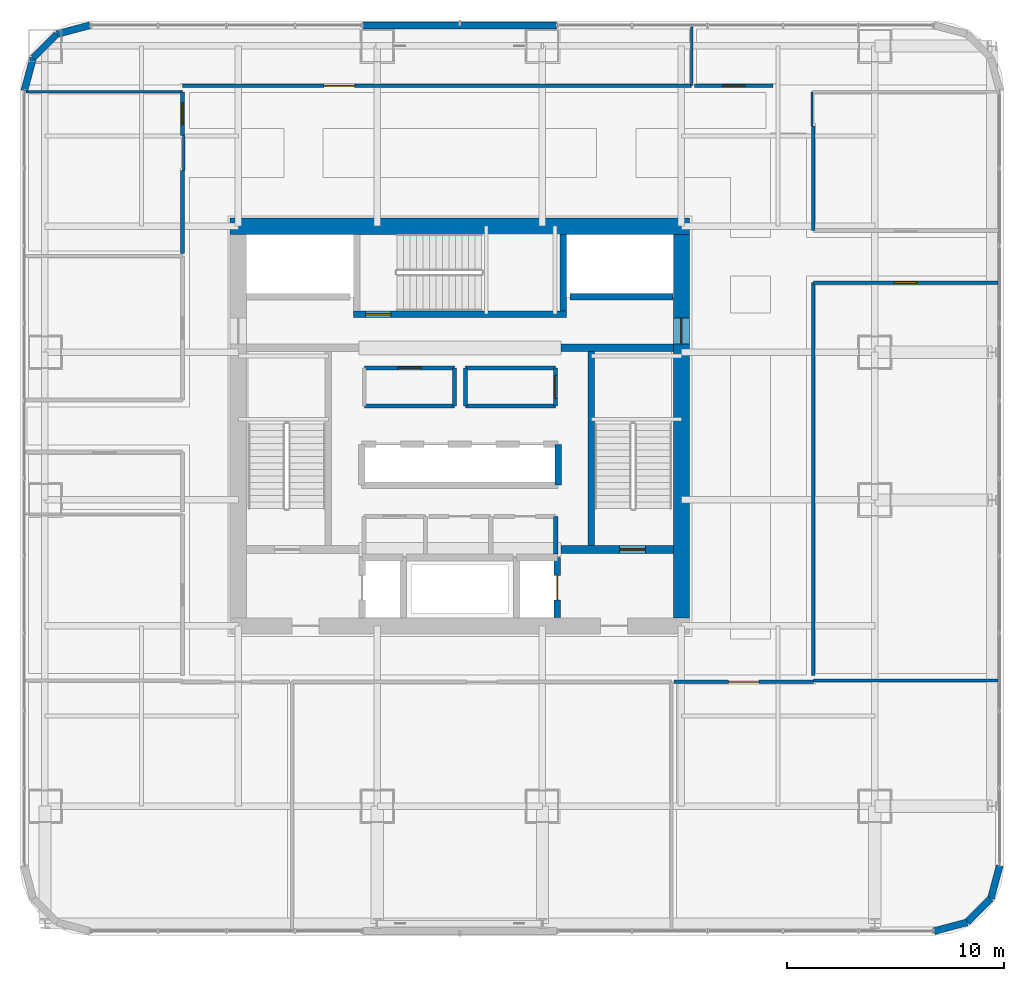
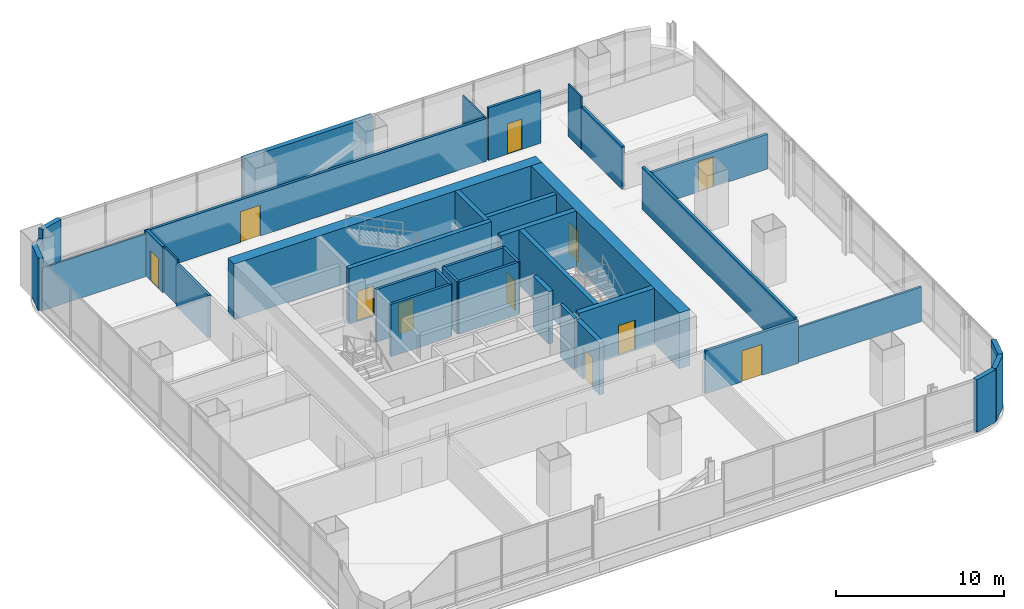
# One storey, part 29 of 40: 38 walls, 11 doors, 11 openings.
"""IFC4 building model written with IfcOpenShell, lengths in metres."""

from ifc_helpers import new_model, si_unit, direction, frame, frame_2d, origin, place, context, subcontext, project, spatial, rectangle, extrude, material, layer, layer_set, type_object, element, fill, save


model = new_model("IFC4")

# Units and contexts
model_context = context("Model", 3, precision=1e-05, world=origin(), true_north=direction((0.0, 1.0)))
body_context = subcontext(model_context, "Body", "Model", "MODEL_VIEW")
ifc_project = project(units=[si_unit("LENGTHUNIT", "METRE"), si_unit("AREAUNIT", "SQUARE_METRE"), si_unit("VOLUMEUNIT", "CUBIC_METRE"), si_unit("PLANEANGLEUNIT", "RADIAN"), si_unit("MASSUNIT", "GRAM", prefix="KILO")], contexts=[model_context])

# Site, building, storey
site_placement = place(None, origin())
site = spatial("IfcSite", under=ifc_project, at=site_placement, CompositionType="ELEMENT")
building_placement = place(site_placement, origin())
building = spatial("IfcBuilding", under=site, at=building_placement, Name="Punatoya Terracotta Tower", CompositionType="ELEMENT")
storey_placement = place(building_placement, frame((0.0, 0.0, 76.800048828125)))
storey = spatial("IfcBuildingStorey", under=building, at=storey_placement, Name="L17", CompositionType="ELEMENT", Elevation=76.800048828125)

# Wall
ifc_material_1 = material(Name="Concrete C60/75", Category="concrete")
ifc_layer_1 = layer(ifc_material_1, 0.75)
ifc_layer_set_1 = layer_set([ifc_layer_1], Name="Concrete C60/75")
wall_type_1 = type_object("IfcWallType", Name="WL-COR-750", PredefinedType="SHEAR", material=ifc_layer_set_1)
wall_1_placement = place(storey_placement, frame((-10.574951171875, 9.199951171875, 0.0), z_axis=(0.0, 0.0, 1.0), x_axis=(1.0, 0.0, 0.0)))
element("IfcWall", 1, at=wall_1_placement, inside=storey, type_object=wall_type_1, Name="L17 Core Shear Wall N", PredefinedType="SHEAR", context=body_context, shape_type="SweptSolid", body=[
    extrude(rectangle(XDim=21.14990234375, YDim=0.75, at=frame_2d((10.574951171875, 0.0))), origin(), (0.0, 0.0, 1.0), 4.050048828125),
])

# Wall, opening, door
wall_2_placement = place(storey_placement, frame((10.199951171875, 8.824951171875, 0.0), z_axis=(0.0, 0.0, 1.0), x_axis=(0.0, -1.0, 0.0)))
wall_2 = element("IfcWall", 2, at=wall_2_placement, inside=storey, type_object=wall_type_1, Name="L17 Core Shear Wall E", PredefinedType="SHEAR", context=body_context, shape_type="SweptSolid", body=[
    extrude(rectangle(XDim=17.64990234375, YDim=0.75, at=frame_2d((8.824951171875, 0.0))), origin(), (0.0, 0.0, 1.0), 4.050048828125),
])
opening_1_placement = place(wall_2_placement, frame((3.85498046875, 0.0, 0.0)))
opening_1 = element("IfcOpeningElement", 3, at=opening_1_placement, cuts=wall_2, Name="Opening SD-01", PredefinedType="OPENING", context=body_context, shape_type="SweptSolid", body=[
    extrude(rectangle(XDim=1.179931640625, YDim=2.199951171875, at=frame_2d((0.58984375, 1.10009765625))), frame((0.0, 0.385009765625, 0.0), z_axis=(0.0, -1.0, 0.0), x_axis=(1.0, 0.0, 0.0)), (0.0, 0.0, 1.0), 0.77001953125),
])
ifc_material_2 = material(Name="Galvanised Steel Pressurized Stair Fire Door", Category="steel")
door_type_1 = type_object("IfcDoorType", Name="DR-STR-1180", OperationType="NOTDEFINED", PredefinedType="DOOR", material=ifc_material_2)
door_1_placement = place(opening_1_placement, origin())
door_1 = element("IfcDoor", 4, at=door_1_placement, inside=storey, type_object=door_type_1, Name="L17 Central Lift Lobby East Fire Door", OperationType="SINGLE_SWING_RIGHT", OverallHeight=2.199951171875, OverallWidth=1.179931640625, PredefinedType="DOOR", context=body_context, shape_type="SweptSolid", body=[
    extrude(rectangle(XDim=1.179931640625, YDim=2.199951171875, at=frame_2d((0.58984375, 1.10009765625))), frame((0.0, 0.02490234375, 0.0), z_axis=(0.0, -1.0, 0.0), x_axis=(1.0, 0.0, 0.0)), (0.0, 0.0, 1.0), 0.050048828125),
])
fill(opening_1, door_1)

# Wall
ifc_material_3 = material(Name="Gypsum Fireboard + Steel Stud", Category="steel")
ifc_layer_2 = layer(ifc_material_3, 0.179931640625)
ifc_layer_set_2 = layer_set([ifc_layer_2], Name="Gypsum Fireboard + Steel Stud")
wall_type_2 = type_object("IfcWallType", Name="WL-CORR-180", PredefinedType="PARTITIONING", material=ifc_layer_set_2)
wall_3_placement = place(storey_placement, frame((-0.25, 0.919921875, 0.0), z_axis=(0.0, 0.0, 1.0), x_axis=(0.0, 1.0, 0.0)))
element("IfcWall", 5, at=wall_3_placement, inside=storey, type_object=wall_type_2, Name="L17 West Core Focus Pod Partition 08", PredefinedType="PARTITIONING", context=body_context, shape_type="SweptSolid", body=[
    extrude(rectangle(XDim=1.760009765625, YDim=0.179931640625, at=frame_2d((0.8798828125, 0.0))), origin(), (0.0, 0.0, 1.0), 3.81005859375),
])

# Wall, opening, door
wall_4_placement = place(storey_placement, frame((-0.25, 2.679931640625, 0.0), z_axis=(0.0, 0.0, 1.0), x_axis=(-1.0, 0.0, 0.0)))
wall_4 = element("IfcWall", 6, at=wall_4_placement, inside=storey, type_object=wall_type_2, Name="L17 West Core Focus Pod Partition 09", PredefinedType="PARTITIONING", context=body_context, shape_type="SweptSolid", body=[
    extrude(rectangle(XDim=4.14990234375, YDim=0.179931640625, at=frame_2d((2.074951171875, 0.0))), origin(), (0.0, 0.0, 1.0), 3.81005859375),
])
opening_2_placement = place(wall_4_placement, frame((1.550048828125, 0.0, 0.0)))
opening_2 = element("IfcOpeningElement", 7, at=opening_2_placement, cuts=wall_4, Name="Opening OD-01", PredefinedType="OPENING", context=body_context, shape_type="SweptSolid", body=[
    extrude(rectangle(XDim=1.050048828125, YDim=2.199951171875, at=frame_2d((0.52490234375, 1.10009765625))), frame((0.0, 0.099853515625, 0.0), z_axis=(0.0, -1.0, 0.0), x_axis=(1.0, 0.0, 0.0)), (0.0, 0.0, 1.0), 0.199951171875),
])
ifc_material_4 = material(Name="Bengal Teak Solid-Core Leaf")
door_type_2 = type_object("IfcDoorType", Name="DR-OFF-1050", OperationType="NOTDEFINED", PredefinedType="DOOR", material=ifc_material_4)
door_2_placement = place(opening_2_placement, origin())
door_2 = element("IfcDoor", 8, at=door_2_placement, inside=storey, type_object=door_type_2, Name="L17 West Focus Pod Door", OperationType="SINGLE_SWING_RIGHT", OverallHeight=2.199951171875, OverallWidth=1.050048828125, PredefinedType="DOOR", context=body_context, shape_type="SweptSolid", body=[
    extrude(rectangle(XDim=1.050048828125, YDim=2.199951171875, at=frame_2d((0.52490234375, 1.10009765625))), frame((0.0, 0.02490234375, 0.0), z_axis=(0.0, -1.0, 0.0), x_axis=(1.0, 0.0, 0.0)), (0.0, 0.0, 1.0), 0.050048828125),
])
fill(opening_2, door_2)

# Wall
wall_5_placement = place(storey_placement, frame((-4.39990234375, 0.919921875, 0.0), z_axis=(0.0, 0.0, 1.0), x_axis=(1.0, 0.0, 0.0)))
element("IfcWall", 9, at=wall_5_placement, inside=storey, type_object=wall_type_2, Name="L17 West Core Focus Pod Partition 11", PredefinedType="PARTITIONING", context=body_context, shape_type="SweptSolid", body=[
    extrude(rectangle(XDim=4.14990234375, YDim=0.179931640625, at=frame_2d((2.074951171875, 0.0))), origin(), (0.0, 0.0, 1.0), 3.81005859375),
])

# Wall, opening, door
wall_6_placement = place(storey_placement, frame((4.39990234375, 0.919921875, 0.0), z_axis=(0.0, 0.0, 1.0), x_axis=(0.0, 1.0, 0.0)))
wall_6 = element("IfcWall", 10, at=wall_6_placement, inside=storey, type_object=wall_type_2, Name="L17 East Core Wellness Room Partition 12", PredefinedType="PARTITIONING", context=body_context, shape_type="SweptSolid", body=[
    extrude(rectangle(XDim=1.760009765625, YDim=0.179931640625, at=frame_2d((0.8798828125, 0.0))), origin(), (0.0, 0.0, 1.0), 3.81005859375),
])
opening_3_placement = place(wall_6_placement, frame((0.35498046875, 0.0, 0.0)))
opening_3 = element("IfcOpeningElement", 11, at=opening_3_placement, cuts=wall_6, Name="Opening OD-01", PredefinedType="OPENING", context=body_context, shape_type="SweptSolid", body=[
    extrude(rectangle(XDim=1.050048828125, YDim=2.199951171875, at=frame_2d((0.52490234375, 1.10009765625))), frame((0.0, 0.099853515625, 0.0), z_axis=(0.0, -1.0, 0.0), x_axis=(1.0, 0.0, 0.0)), (0.0, 0.0, 1.0), 0.199951171875),
])
door_3_placement = place(opening_3_placement, origin())
door_3 = element("IfcDoor", 12, at=door_3_placement, inside=storey, type_object=door_type_2, Name="L17 East Wellness Room Door", OperationType="SINGLE_SWING_LEFT", OverallHeight=2.199951171875, OverallWidth=1.050048828125, PredefinedType="DOOR", context=body_context, shape_type="SweptSolid", body=[
    extrude(rectangle(XDim=1.050048828125, YDim=2.199951171875, at=frame_2d((0.52490234375, 1.10009765625))), frame((0.0, 0.02490234375, 0.0), z_axis=(0.0, -1.0, 0.0), x_axis=(1.0, 0.0, 0.0)), (0.0, 0.0, 1.0), 0.050048828125),
])
fill(opening_3, door_3)

# Walls
wall_7_placement = place(storey_placement, frame((4.39990234375, 2.679931640625, 0.0), z_axis=(0.0, 0.0, 1.0), x_axis=(-1.0, 0.0, 0.0)))
element("IfcWall", 13, at=wall_7_placement, inside=storey, type_object=wall_type_2, Name="L17 East Core Wellness Room Partition 13", PredefinedType="PARTITIONING", context=body_context, shape_type="SweptSolid", body=[
    extrude(rectangle(XDim=4.14990234375, YDim=0.179931640625, at=frame_2d((2.074951171875, 0.0))), origin(), (0.0, 0.0, 1.0), 3.81005859375),
])
wall_8_placement = place(storey_placement, frame((0.25, 2.679931640625, 0.0), z_axis=(0.0, 0.0, 1.0), x_axis=(0.0, -1.0, 0.0)))
element("IfcWall", 14, at=wall_8_placement, inside=storey, type_object=wall_type_2, Name="L17 East Core Wellness Room Partition 14", PredefinedType="PARTITIONING", context=body_context, shape_type="SweptSolid", body=[
    extrude(rectangle(XDim=1.760009765625, YDim=0.179931640625, at=frame_2d((0.8798828125, 0.0))), origin(), (0.0, 0.0, 1.0), 3.81005859375),
])
wall_9_placement = place(storey_placement, frame((0.25, 0.919921875, 0.0), z_axis=(0.0, 0.0, 1.0), x_axis=(1.0, 0.0, 0.0)))
element("IfcWall", 15, at=wall_9_placement, inside=storey, type_object=wall_type_2, Name="L17 East Core Wellness Room Partition 15", PredefinedType="PARTITIONING", context=body_context, shape_type="SweptSolid", body=[
    extrude(rectangle(XDim=4.14990234375, YDim=0.179931640625, at=frame_2d((2.074951171875, 0.0))), origin(), (0.0, 0.0, 1.0), 3.81005859375),
])

# Wall, opening, door
wall_10_placement = place(storey_placement, frame((9.867919921875, -11.77001953125, 0.0), z_axis=(0.0, 0.0, 1.0), x_axis=(1.0, 0.0, 0.0)))
wall_10 = element("IfcWall", 16, at=wall_10_placement, inside=storey, type_object=wall_type_2, Name="L17 Collaborative Workshop Room Partition 22", PredefinedType="PARTITIONING", context=body_context, shape_type="SweptSolid", body=[
    extrude(rectangle(XDim=6.402099609375, YDim=0.179931640625, at=frame_2d((3.201171875, 0.0))), origin(), (0.0, 0.0, 1.0), 3.10400390625),
])
opening_4_placement = place(wall_10_placement, frame((2.5009765625, 0.0, 0.0)))
opening_4 = element("IfcOpeningElement", 17, at=opening_4_placement, cuts=wall_10, Name="Opening BD-01", PredefinedType="OPENING", context=body_context, shape_type="SweptSolid", body=[
    extrude(rectangle(XDim=1.39990234375, YDim=2.25, at=frame_2d((0.699951171875, 1.125))), frame((0.0, 0.099853515625, 0.0), z_axis=(0.0, -1.0, 0.0), x_axis=(1.0, 0.0, 0.0)), (0.0, 0.0, 1.0), 0.199951171875),
])
ifc_material_5 = material(Name="Bengal Teak Acoustic Leaf")
door_type_3 = type_object("IfcDoorType", Name="DR-BRD-1400", OperationType="NOTDEFINED", PredefinedType="DOOR", material=ifc_material_5)
door_4_placement = place(opening_4_placement, origin())
door_4 = element("IfcDoor", 18, at=door_4_placement, inside=storey, type_object=door_type_3, Name="L17 Collaborative Workshop Room Door", OperationType="SINGLE_SWING_RIGHT", OverallHeight=2.25, OverallWidth=1.39990234375, PredefinedType="DOOR", context=body_context, shape_type="SweptSolid", body=[
    extrude(rectangle(XDim=1.39990234375, YDim=2.25, at=frame_2d((0.699951171875, 1.125))), frame((0.0, 0.02490234375, 0.0), z_axis=(0.0, -1.0, 0.0), x_axis=(1.0, 0.0, 0.0)), (0.0, 0.0, 1.0), 0.050048828125),
])
fill(opening_4, door_4)

wall_11_placement = place(storey_placement, frame((16.27001953125, 6.60009765625, 0.0), z_axis=(0.0, 0.0, 1.0), x_axis=(1.0, 0.0, 0.0)))
wall_11 = element("IfcWall", 19, at=wall_11_placement, inside=storey, type_object=wall_type_2, Name="L17 Delegate Reception Lounge Partition 27", PredefinedType="PARTITIONING", context=body_context, shape_type="SweptSolid", body=[
    extrude(rectangle(XDim=8.5, YDim=0.179931640625, at=frame_2d((4.25, 0.0))), origin(), (0.0, 0.0, 1.0), 2.52392578125),
])
opening_5_placement = place(wall_11_placement, frame((3.72509765625, 0.0, 0.0)))
opening_5 = element("IfcOpeningElement", 20, at=opening_5_placement, cuts=wall_11, Name="Opening OD-01", PredefinedType="OPENING", context=body_context, shape_type="SweptSolid", body=[
    extrude(rectangle(XDim=1.050048828125, YDim=2.199951171875, at=frame_2d((0.52490234375, 1.10009765625))), frame((0.0, 0.099853515625, 0.0), z_axis=(0.0, -1.0, 0.0), x_axis=(1.0, 0.0, 0.0)), (0.0, 0.0, 1.0), 0.199951171875),
])
door_5_placement = place(opening_5_placement, origin())
door_5 = element("IfcDoor", 21, at=door_5_placement, inside=storey, type_object=door_type_2, Name="L17 Delegate Reception Lounge Door", OperationType="SINGLE_SWING_LEFT", OverallHeight=2.199951171875, OverallWidth=1.050048828125, PredefinedType="DOOR", context=body_context, shape_type="SweptSolid", body=[
    extrude(rectangle(XDim=1.050048828125, YDim=2.199951171875, at=frame_2d((0.52490234375, 1.10009765625))), frame((0.0, 0.02490234375, 0.0), z_axis=(0.0, -1.0, 0.0), x_axis=(1.0, 0.0, 0.0)), (0.0, 0.0, 1.0), 0.050048828125),
])
fill(opening_5, door_5)

# Wall
wall_12_placement = place(storey_placement, frame((16.27001953125, -11.489990234375, 0.0), z_axis=(0.0, 0.0, 1.0), x_axis=(0.0, 1.0, 0.0)))
element("IfcWall", 22, at=wall_12_placement, inside=storey, type_object=wall_type_2, Name="L17 Delegate Reception Lounge Partition 28", PredefinedType="PARTITIONING", context=body_context, shape_type="SweptSolid", body=[
    extrude(rectangle(XDim=18.090087890625, YDim=0.179931640625, at=frame_2d((9.044921875, 0.0))), origin(), (0.0, 0.0, 1.0), 3.10400390625),
])

# Wall, opening, door
wall_13_placement = place(storey_placement, frame((-12.77001953125, 15.389892578125, 0.0), z_axis=(0.0, 0.0, 1.0), x_axis=(0.0, -1.0, 0.0)))
wall_13 = element("IfcWall", 23, at=wall_13_placement, inside=storey, type_object=wall_type_2, Name="L17 Case-Study Classroom Partition 33", PredefinedType="PARTITIONING", context=body_context, shape_type="SweptSolid", body=[
    extrude(rectangle(XDim=2.010009765625, YDim=0.179931640625, at=frame_2d((1.0048828125, 0.0))), origin(), (0.0, 0.0, 1.0), 3.35400390625),
])
opening_6_placement = place(wall_13_placement, frame((0.4951171875, 0.0, 0.0)))
opening_6 = element("IfcOpeningElement", 24, at=opening_6_placement, cuts=wall_13, Name="Opening MD-01", PredefinedType="OPENING", context=body_context, shape_type="SweptSolid", body=[
    extrude(rectangle(XDim=1.02001953125, YDim=2.199951171875, at=frame_2d((0.510009765625, 1.10009765625))), frame((0.0, 0.099853515625, 0.0), z_axis=(0.0, -1.0, 0.0), x_axis=(1.0, 0.0, 0.0)), (0.0, 0.0, 1.0), 0.199951171875),
])
ifc_material_6 = material(Name="Aluminium + Acoustic Glass Leaf", Category="aluminium")
door_type_4 = type_object("IfcDoorType", Name="DR-MTG-1020", OperationType="NOTDEFINED", PredefinedType="DOOR", material=ifc_material_6)
door_6_placement = place(opening_6_placement, origin())
door_6 = element("IfcDoor", 25, at=door_6_placement, inside=storey, type_object=door_type_4, Name="L17 Case-Study Classroom Door", OperationType="SINGLE_SWING_LEFT", OverallHeight=2.199951171875, OverallWidth=1.02001953125, PredefinedType="DOOR", context=body_context, shape_type="SweptSolid", body=[
    extrude(rectangle(XDim=1.02001953125, YDim=2.199951171875, at=frame_2d((0.510009765625, 1.10009765625))), frame((0.0, 0.02490234375, 0.0), z_axis=(0.0, -1.0, 0.0), x_axis=(1.0, 0.0, 0.0)), (0.0, 0.0, 1.0), 0.050048828125),
])
fill(opening_6, door_6)

# Walls
wall_14_placement = place(storey_placement, frame((-12.77001953125, 11.77001953125, 0.0), z_axis=(0.0, 0.0, 1.0), x_axis=(0.0, -1.0, 0.0)))
element("IfcWall", 26, at=wall_14_placement, inside=storey, type_object=wall_type_2, Name="L17 Case-Study Classroom Partition 35", PredefinedType="PARTITIONING", context=body_context, shape_type="SweptSolid", body=[
    extrude(rectangle(XDim=3.820068359375, YDim=0.179931640625, at=frame_2d((1.91015625, 0.0))), origin(), (0.0, 0.0, 1.0), 3.10400390625),
])
wall_15_placement = place(storey_placement, frame((16.27001953125, 9.0, 0.0), z_axis=(0.0, 0.0, 1.0), x_axis=(0.0, 1.0, 0.0)))
element("IfcWall", 27, at=wall_15_placement, inside=storey, type_object=wall_type_2, Name="L17 Symposium Colloquium Room Partition 37", PredefinedType="PARTITIONING", context=body_context, shape_type="SweptSolid", body=[
    extrude(rectangle(XDim=4.820068359375, YDim=0.179931640625, at=frame_2d((2.41015625, 0.0))), origin(), (0.0, 0.0, 1.0), 3.10400390625),
])

# Wall, opening, door
wall_16_placement = place(storey_placement, frame((10.674072265625, 15.669921875, 0.0), z_axis=(0.0, 0.0, 1.0), x_axis=(-1.0, 0.0, 0.0)))
wall_16 = element("IfcWall", 28, at=wall_16_placement, inside=storey, type_object=wall_type_2, Name="L17 Open-Plan Roundtable Conference Room Partition 41", PredefinedType="PARTITIONING", context=body_context, shape_type="SweptSolid", body=[
    extrude(rectangle(XDim=23.444091796875, YDim=0.179931640625, at=frame_2d((11.72216796875, 0.0))), origin(), (0.0, 0.0, 1.0), 3.10400390625),
])
opening_7_placement = place(wall_16_placement, frame((15.52197265625, 0.0, 0.0)))
opening_7 = element("IfcOpeningElement", 29, at=opening_7_placement, cuts=wall_16, Name="Opening BD-01", PredefinedType="OPENING", context=body_context, shape_type="SweptSolid", body=[
    extrude(rectangle(XDim=1.39990234375, YDim=2.25, at=frame_2d((0.699951171875, 1.125))), frame((0.0, 0.099853515625, 0.0), z_axis=(0.0, -1.0, 0.0), x_axis=(1.0, 0.0, 0.0)), (0.0, 0.0, 1.0), 0.199951171875),
])
door_7_placement = place(opening_7_placement, origin())
door_7 = element("IfcDoor", 30, at=door_7_placement, inside=storey, type_object=door_type_3, Name="L17 Open-Plan Roundtable Conference Room Door", OperationType="SINGLE_SWING_LEFT", OverallHeight=2.25, OverallWidth=1.39990234375, PredefinedType="DOOR", context=body_context, shape_type="SweptSolid", body=[
    extrude(rectangle(XDim=1.39990234375, YDim=2.25, at=frame_2d((0.699951171875, 1.125))), frame((0.0, 0.02490234375, 0.0), z_axis=(0.0, -1.0, 0.0), x_axis=(1.0, 0.0, 0.0)), (0.0, 0.0, 1.0), 0.050048828125),
])
fill(opening_7, door_7)

wall_17_placement = place(storey_placement, frame((14.419921875, 15.669921875, 0.0), z_axis=(0.0, 0.0, 1.0), x_axis=(-1.0, 0.0, 0.0)))
wall_17 = element("IfcWall", 31, at=wall_17_placement, inside=storey, type_object=wall_type_2, Name="L17 Open-Plan Translation Conference Room Partition 42", PredefinedType="PARTITIONING", context=body_context, shape_type="SweptSolid", body=[
    extrude(rectangle(XDim=3.6259765625, YDim=0.179931640625, at=frame_2d((1.81298828125, 0.0))), origin(), (0.0, 0.0, 1.0), 3.81005859375),
])
opening_8_placement = place(wall_17_placement, frame((1.302978515625, 0.0, 0.0)))
opening_8 = element("IfcOpeningElement", 32, at=opening_8_placement, cuts=wall_17, Name="Opening MD-01", PredefinedType="OPENING", context=body_context, shape_type="SweptSolid", body=[
    extrude(rectangle(XDim=1.02001953125, YDim=2.199951171875, at=frame_2d((0.510009765625, 1.10009765625))), frame((0.0, 0.099853515625, 0.0), z_axis=(0.0, -1.0, 0.0), x_axis=(1.0, 0.0, 0.0)), (0.0, 0.0, 1.0), 0.199951171875),
])
door_8_placement = place(opening_8_placement, origin())
door_8 = element("IfcDoor", 33, at=door_8_placement, inside=storey, type_object=door_type_4, Name="L17 Open-Plan Translation Conference Room Door", OperationType="SINGLE_SWING_RIGHT", OverallHeight=2.199951171875, OverallWidth=1.02001953125, PredefinedType="DOOR", context=body_context, shape_type="SweptSolid", body=[
    extrude(rectangle(XDim=1.02001953125, YDim=2.199951171875, at=frame_2d((0.510009765625, 1.10009765625))), frame((0.0, 0.02490234375, 0.0), z_axis=(0.0, -1.0, 0.0), x_axis=(1.0, 0.0, 0.0)), (0.0, 0.0, 1.0), 0.050048828125),
])
fill(opening_8, door_8)

# Walls
ifc_material_7 = material(Name="Precast concrete C40/50", Category="concrete")
ifc_layer_3 = layer(ifc_material_7, 0.320068359375)
ifc_layer_set_3 = layer_set([ifc_layer_3], Name="Precast concrete C40/50")
wall_type_3 = type_object("IfcWallType", Name="WL-EXT-320", PredefinedType="SOLIDWALL", material=ifc_layer_set_3)
wall_18_placement = place(storey_placement, frame((21.8369140625, -23.25, 0.0), z_axis=(0.0, 0.0, 1.0), x_axis=(0.966224582397, 0.257701486942, 0.0)))
element("IfcWall", 34, at=wall_18_placement, inside=storey, type_object=wall_type_3, Name="L17 Rounded Terracotta Corner Pier 02", PredefinedType="SOLIDWALL", context=body_context, shape_type="SweptSolid", body=[
    extrude(rectangle(XDim=1.565185546875, YDim=0.320068359375, at=frame_2d((0.78271484375, 0.0))), origin(), (0.0, 0.0, 1.0), 3.81005859375),
])
wall_19_placement = place(storey_placement, frame((23.34912109375, -22.8466796875, 0.0), z_axis=(0.0, 0.0, 1.0), x_axis=(0.707028130747, 0.707185422879, 0.0)))
element("IfcWall", 35, at=wall_19_placement, inside=storey, type_object=wall_type_3, Name="L17 Rounded Terracotta Corner Pier 03", PredefinedType="SOLIDWALL", context=body_context, shape_type="SweptSolid", body=[
    extrude(rectangle(XDim=1.55224609375, YDim=0.320068359375, at=frame_2d((0.776123046875, 0.0))), origin(), (0.0, 0.0, 1.0), 3.81005859375),
])
wall_20_placement = place(storey_placement, frame((24.446533203125, -21.7490234375, 0.0), z_axis=(0.0, 0.0, 1.0), x_axis=(0.257847112249, 0.966185730957, 0.0)))
element("IfcWall", 36, at=wall_20_placement, inside=storey, type_object=wall_type_3, Name="L17 Rounded Terracotta Corner Pier 04", PredefinedType="SOLIDWALL", context=body_context, shape_type="SweptSolid", body=[
    extrude(rectangle(XDim=1.565185546875, YDim=0.320068359375, at=frame_2d((0.78271484375, 0.0))), origin(), (0.0, 0.0, 1.0), 3.81005859375),
])
wall_21_placement = place(storey_placement, frame((4.449951171875, 18.449951171875, 0.0), z_axis=(0.0, 0.0, 1.0), x_axis=(-1.0, 0.0, 0.0)))
element("IfcWall", 37, at=wall_21_placement, inside=storey, type_object=wall_type_3, Name="L17 Terracotta Braced Facade Wall N1", PredefinedType="SOLIDWALL", context=body_context, shape_type="SweptSolid", body=[
    extrude(rectangle(XDim=8.89990234375, YDim=0.320068359375, at=frame_2d((4.449951171875, 0.0))), origin(), (0.0, 0.0, 1.0), 3.81005859375),
])
wall_22_placement = place(storey_placement, frame((-17.036865234375, 18.449951171875, 0.0), z_axis=(0.0, 0.0, 1.0), x_axis=(-0.966224582397, -0.257701486942, 0.0)))
element("IfcWall", 38, at=wall_22_placement, inside=storey, type_object=wall_type_3, Name="L17 Rounded Terracotta Corner Pier 10", PredefinedType="SOLIDWALL", context=body_context, shape_type="SweptSolid", body=[
    extrude(rectangle(XDim=1.565185546875, YDim=0.320068359375, at=frame_2d((0.78271484375, 0.0))), origin(), (0.0, 0.0, 1.0), 3.81005859375),
])
wall_23_placement = place(storey_placement, frame((-18.549072265625, 18.046630859375, 0.0), z_axis=(0.0, 0.0, 1.0), x_axis=(-0.707106781187, -0.707106781187, 0.0)))
element("IfcWall", 39, at=wall_23_placement, inside=storey, type_object=wall_type_3, Name="L17 Rounded Terracotta Corner Pier 11", PredefinedType="SOLIDWALL", context=body_context, shape_type="SweptSolid", body=[
    extrude(rectangle(XDim=1.552001953125, YDim=0.320068359375, at=frame_2d((0.77587890625, 0.0))), origin(), (0.0, 0.0, 1.0), 3.10400390625),
])
wall_24_placement = place(storey_placement, frame((-19.646484375, 16.94921875, 0.0), z_axis=(0.0, 0.0, 1.0), x_axis=(-0.257847112249, -0.966185730957, 0.0)))
element("IfcWall", 40, at=wall_24_placement, inside=storey, type_object=wall_type_3, Name="L17 Rounded Terracotta Corner Pier 12", PredefinedType="SOLIDWALL", context=body_context, shape_type="SweptSolid", body=[
    extrude(rectangle(XDim=1.565185546875, YDim=0.320068359375, at=frame_2d((0.78271484375, 0.0))), origin(), (0.0, 0.0, 1.0), 3.81005859375),
])
ifc_material_8 = material(Name="Aluminium Framed Acoustic Glass Partition", Category="aluminium")
ifc_layer_4 = layer(ifc_material_8, 0.10009765625)
ifc_layer_set_4 = layer_set([ifc_layer_4], Name="Aluminium Framed Acoustic Glass Partition")
wall_type_4 = type_object("IfcWallType", Name="WL-GLZ-100", PredefinedType="PARTITIONING", material=ifc_layer_set_4)
wall_25_placement = place(storey_placement, frame((-19.969970703125, 15.389892578125, 0.0), z_axis=(0.0, 0.0, 1.0), x_axis=(1.0, 0.0, 0.0)))
element("IfcWall", 41, at=wall_25_placement, inside=storey, type_object=wall_type_4, Name="L17 Case-Study Classroom Partition 32", PredefinedType="PARTITIONING", context=body_context, shape_type="SweptSolid", body=[
    extrude(rectangle(XDim=7.199951171875, YDim=0.10009765625, at=frame_2d((3.60009765625, 0.0))), origin(), (0.0, 0.0, 1.0), 3.10400390625),
])
wall_26_placement = place(storey_placement, frame((-12.7099609375, 13.3798828125, 0.0), z_axis=(0.0, 0.0, 1.0), x_axis=(0.0, -1.0, 0.0)))
element("IfcWall", 42, at=wall_26_placement, inside=storey, type_object=wall_type_4, Name="L17 Case-Study Classroom Partition 34", PredefinedType="PARTITIONING", context=body_context, shape_type="SweptSolid", body=[
    extrude(rectangle(XDim=1.60986328125, YDim=0.10009765625, at=frame_2d((0.804931640625, 0.0))), origin(), (0.0, 0.0, 1.0), 3.35400390625),
])
wall_27_placement = place(storey_placement, frame((16.2099609375, 13.820068359375, 0.0), z_axis=(0.0, 0.0, 1.0), x_axis=(0.0, 1.0, 0.0)))
element("IfcWall", 43, at=wall_27_placement, inside=storey, type_object=wall_type_4, Name="L17 Symposium Colloquium Room Partition 38", PredefinedType="PARTITIONING", context=body_context, shape_type="SweptSolid", body=[
    extrude(rectangle(XDim=1.56982421875, YDim=0.10009765625, at=frame_2d((0.784912109375, 0.0))), origin(), (0.0, 0.0, 1.0), 3.81005859375),
])
wall_28_placement = place(storey_placement, frame((10.674072265625, 18.3701171875, 0.0), z_axis=(0.0, 0.0, 1.0), x_axis=(0.0, -1.0, 0.0)))
element("IfcWall", 44, at=wall_28_placement, inside=storey, type_object=wall_type_4, Name="L17 Open-Plan Roundtable Conference Room Partition 40", PredefinedType="PARTITIONING", context=body_context, shape_type="SweptSolid", body=[
    extrude(rectangle(XDim=2.7001953125, YDim=0.10009765625, at=frame_2d((1.35009765625, 0.0))), origin(), (0.0, 0.0, 1.0), 3.10400390625),
])
ifc_material_9 = material(Name="Concrete C40/50", Category="concrete")
ifc_layer_5 = layer(ifc_material_9, 0.199951171875)
ifc_layer_set_5 = layer_set([ifc_layer_5], Name="Concrete C40/50")
wall_type_5 = type_object("IfcWallType", Name="WL-INT-200", PredefinedType="SOLIDWALL", material=ifc_layer_set_5)
wall_29_placement = place(storey_placement, frame((4.419921875, -5.89990234375, 0.0), z_axis=(0.0, 0.0, 1.0), x_axis=(0.0, 1.0, 0.0)))
element("IfcWall", 45, at=wall_29_placement, inside=storey, type_object=wall_type_5, Name="L17 All-Gender Washroom Partition 06", PredefinedType="SOLIDWALL", context=body_context, shape_type="SweptSolid", body=[
    extrude(rectangle(XDim=1.739990234375, YDim=0.199951171875, at=frame_2d((0.8701171875, 0.0))), origin(), (0.0, 0.0, 1.0), 3.81005859375),
])
ifc_material_10 = material(Name="Acoustic Gypsum + Steel Stud", Category="steel")
ifc_layer_6 = layer(ifc_material_10, 0.139892578125)
ifc_layer_set_6 = layer_set([ifc_layer_6], Name="Acoustic Gypsum + Steel Stud")
wall_type_6 = type_object("IfcWallType", Name="WL-OFF-140", PredefinedType="PARTITIONING", material=ifc_layer_set_6)
wall_30_placement = place(storey_placement, frame((16.27001953125, -11.7099609375, 0.0), z_axis=(0.0, 0.0, 1.0), x_axis=(1.0, 0.0, 0.0)))
element("IfcWall", 46, at=wall_30_placement, inside=storey, type_object=wall_type_6, Name="L17 Collaborative Workshop Room Partition 21", PredefinedType="PARTITIONING", context=body_context, shape_type="SweptSolid", body=[
    extrude(rectangle(XDim=8.5, YDim=0.139892578125, at=frame_2d((4.25, 0.0))), origin(), (0.0, 0.0, 1.0), 2.52392578125),
])
ifc_layer_7 = layer(ifc_material_9, 0.300048828125)
ifc_layer_set_7 = layer_set([ifc_layer_7], Name="Concrete C40/50")
wall_type_7 = type_object("IfcWallType", Name="WL-SHF-300", PredefinedType="SOLIDWALL", material=ifc_layer_set_7)
wall_31_placement = place(storey_placement, frame((6.050048828125, 3.449951171875, 0.0), z_axis=(0.0, 0.0, 1.0), x_axis=(0.0, -1.0, 0.0)))
element("IfcWall", 47, at=wall_31_placement, inside=storey, type_object=wall_type_7, Name="L17 Structural Stair Shaft Wall SW-ST2-W", PredefinedType="SOLIDWALL", context=body_context, shape_type="SweptSolid", body=[
    extrude(rectangle(XDim=8.949951171875, YDim=0.300048828125, at=frame_2d((4.47509765625, 0.0))), origin(), (0.0, 0.0, 1.0), 4.050048828125),
])
wall_32_placement = place(storey_placement, frame((4.75, 8.824951171875, 0.0), z_axis=(0.0, 0.0, 1.0), x_axis=(0.0, -1.0, 0.0)))
element("IfcWall", 48, at=wall_32_placement, inside=storey, type_object=wall_type_7, Name="L17 Structural Stair Shaft Wall SW-ST3-E", PredefinedType="SOLIDWALL", context=body_context, shape_type="SweptSolid", body=[
    extrude(rectangle(XDim=3.52490234375, YDim=0.300048828125, at=frame_2d((1.762451171875, 0.0))), origin(), (0.0, 0.0, 1.0), 4.050048828125),
])

# Wall, opening, door
wall_33_placement = place(storey_placement, frame((-4.89990234375, 5.14990234375, 0.0), z_axis=(0.0, 0.0, 1.0), x_axis=(1.0, 0.0, 0.0)))
wall_33 = element("IfcWall", 49, at=wall_33_placement, inside=storey, type_object=wall_type_7, Name="L17 Structural Stair Shaft Wall SW-ST3-S", PredefinedType="SOLIDWALL", context=body_context, shape_type="SweptSolid", body=[
    extrude(rectangle(XDim=9.7998046875, YDim=0.300048828125, at=frame_2d((4.89990234375, 0.0))), origin(), (0.0, 0.0, 1.0), 4.050048828125),
])
opening_9_placement = place(wall_33_placement, frame((0.56005859375, 0.0, 0.0)))
opening_9 = element("IfcOpeningElement", 50, at=opening_9_placement, cuts=wall_33, Name="Opening SD-01", PredefinedType="OPENING", context=body_context, shape_type="SweptSolid", body=[
    extrude(rectangle(XDim=1.179931640625, YDim=2.199951171875, at=frame_2d((0.58984375, 1.10009765625))), frame((0.0, 0.159912109375, 0.0), z_axis=(0.0, -1.0, 0.0), x_axis=(1.0, 0.0, 0.0)), (0.0, 0.0, 1.0), 0.320068359375),
])
door_9_placement = place(opening_9_placement, origin())
door_9 = element("IfcDoor", 51, at=door_9_placement, inside=storey, type_object=door_type_1, Name="L17 Stair ST-3 Core Lobby Fire Door", OperationType="SINGLE_SWING_LEFT", OverallHeight=2.199951171875, OverallWidth=1.179931640625, PredefinedType="DOOR", context=body_context, shape_type="SweptSolid", body=[
    extrude(rectangle(XDim=1.179931640625, YDim=2.199951171875, at=frame_2d((0.58984375, 1.10009765625))), frame((0.0, 0.02490234375, 0.0), z_axis=(0.0, -1.0, 0.0), x_axis=(1.0, 0.0, 0.0)), (0.0, 0.0, 1.0), 0.050048828125),
])
fill(opening_9, door_9)

wall_34_placement = place(storey_placement, frame((4.489990234375, -8.820068359375, 0.0), z_axis=(0.0, 0.0, 1.0), x_axis=(0.0, 1.0, 0.0)))
wall_34 = element("IfcWall", 52, at=wall_34_placement, inside=storey, type_object=wall_type_7, Name="L17 FFL-2 Front Hoistway Wall", PredefinedType="SOLIDWALL", context=body_context, shape_type="SweptSolid", body=[
    extrude(rectangle(XDim=2.77001953125, YDim=0.300048828125, at=frame_2d((1.385009765625, 0.0))), origin(), (0.0, 0.0, 1.0), 3.81005859375),
])
opening_10_placement = place(wall_34_placement, frame((0.824951171875, 0.0, 0.0)))
opening_10 = element("IfcOpeningElement", 53, at=opening_10_placement, cuts=wall_34, Name="Opening LD-02", PredefinedType="OPENING", context=body_context, shape_type="SweptSolid", body=[
    extrude(rectangle(XDim=1.1201171875, YDim=2.25, at=frame_2d((0.56005859375, 1.125))), frame((0.0, 0.159912109375, 0.0), z_axis=(0.0, -1.0, 0.0), x_axis=(1.0, 0.0, 0.0)), (0.0, 0.0, 1.0), 0.320068359375),
])
ifc_material_11 = material(Name="Stainless Steel Lift Landing Door", Category="steel")
door_type_5 = type_object("IfcDoorType", Name="DR-LND-1120", OperationType="NOTDEFINED", PredefinedType="DOOR", material=ifc_material_11)
door_10_placement = place(opening_10_placement, origin())
door_10 = element("IfcDoor", 54, at=door_10_placement, inside=storey, type_object=door_type_5, Name="L17 Firefighting Lift FFL-2 Sliding Landing Door", OperationType="SLIDING_TO_RIGHT", OverallHeight=2.25, OverallWidth=1.1201171875, PredefinedType="DOOR", context=body_context, shape_type="SweptSolid", body=[
    extrude(rectangle(XDim=1.1201171875, YDim=2.25, at=frame_2d((0.56005859375, 1.125))), frame((0.0, 0.02490234375, 0.0), z_axis=(0.0, -1.0, 0.0), x_axis=(1.0, 0.0, 0.0)), (0.0, 0.0, 1.0), 0.050048828125),
])
fill(opening_10, door_10)

# Walls
wall_35_placement = place(storey_placement, frame((4.52001953125, -2.719970703125, 0.0), z_axis=(0.0, 0.0, 1.0), x_axis=(0.0, 1.0, 0.0)))
element("IfcWall", 55, at=wall_35_placement, inside=storey, type_object=wall_type_7, Name="L17 South Lift Bank East End Wall", PredefinedType="SOLIDWALL", context=body_context, shape_type="SweptSolid", body=[
    extrude(rectangle(XDim=1.8798828125, YDim=0.300048828125, at=frame_2d((0.93994140625, 0.0))), origin(), (0.0, 0.0, 1.0), 3.81005859375),
])
wall_36_placement = place(storey_placement, frame((5.06005859375, 5.949951171875, 0.0), z_axis=(0.0, 0.0, 1.0), x_axis=(1.0, 0.0, 0.0)))
element("IfcWall", 56, at=wall_36_placement, inside=storey, type_object=wall_type_7, Name="L17 Shuttle SL-2 South Hoistway Wall", PredefinedType="SOLIDWALL", context=body_context, shape_type="SweptSolid", body=[
    extrude(rectangle(XDim=4.760009765625, YDim=0.300048828125, at=frame_2d((2.3798828125, 0.0))), origin(), (0.0, 0.0, 1.0), 3.81005859375),
])

# Wall, opening, door
ifc_material_12 = material(Name="Concrete C50/60", Category="concrete")
ifc_layer_8 = layer(ifc_material_12, 0.35009765625)
ifc_layer_set_8 = layer_set([ifc_layer_8], Name="Concrete C50/60")
wall_type_8 = type_object("IfcWallType", Name="WL-SHF-350", PredefinedType="SOLIDWALL", material=ifc_layer_set_8)
wall_37_placement = place(storey_placement, frame((4.64990234375, -5.679931640625, 0.0), z_axis=(0.0, 0.0, 1.0), x_axis=(1.0, 0.0, 0.0)))
wall_37 = element("IfcWall", 57, at=wall_37_placement, inside=storey, type_object=wall_type_8, Name="L17 Core Web Wall CSW-R", PredefinedType="SOLIDWALL", context=body_context, shape_type="SweptSolid", body=[
    extrude(rectangle(XDim=5.175048828125, YDim=0.35009765625, at=frame_2d((2.58740234375, 0.0))), origin(), (0.0, 0.0, 1.0), 4.050048828125),
])
opening_11_placement = place(wall_37_placement, frame((2.7099609375, 0.0, 0.0)))
opening_11 = element("IfcOpeningElement", 58, at=opening_11_placement, cuts=wall_37, Name="Opening SD-01", PredefinedType="OPENING", context=body_context, shape_type="SweptSolid", body=[
    extrude(rectangle(XDim=1.179931640625, YDim=2.199951171875, at=frame_2d((0.58984375, 1.10009765625))), frame((0.0, 0.18505859375, 0.0), z_axis=(0.0, -1.0, 0.0), x_axis=(1.0, 0.0, 0.0)), (0.0, 0.0, 1.0), 0.3701171875),
])
door_11_placement = place(opening_11_placement, origin())
door_11 = element("IfcDoor", 59, at=door_11_placement, inside=storey, type_object=door_type_1, Name="L17 Stair ST-2 Smokeproof Lobby Fire Door", OperationType="SINGLE_SWING_RIGHT", OverallHeight=2.199951171875, OverallWidth=1.179931640625, PredefinedType="DOOR", context=body_context, shape_type="SweptSolid", body=[
    extrude(rectangle(XDim=1.179931640625, YDim=2.199951171875, at=frame_2d((0.58984375, 1.10009765625))), frame((0.0, 0.02490234375, 0.0), z_axis=(0.0, -1.0, 0.0), x_axis=(1.0, 0.0, 0.0)), (0.0, 0.0, 1.0), 0.050048828125),
])
fill(opening_11, door_11)

# Wall
wall_38_placement = place(storey_placement, frame((4.64990234375, 3.60009765625, 0.0), z_axis=(0.0, 0.0, 1.0), x_axis=(1.0, 0.0, 0.0)))
element("IfcWall", 60, at=wall_38_placement, inside=storey, type_object=wall_type_8, Name="L17 Core Web Wall CNW-R", PredefinedType="SOLIDWALL", context=body_context, shape_type="SweptSolid", body=[
    extrude(rectangle(XDim=5.175048828125, YDim=0.35009765625, at=frame_2d((2.58740234375, 0.0))), origin(), (0.0, 0.0, 1.0), 4.050048828125),
])

save(model, "model.ifc")
